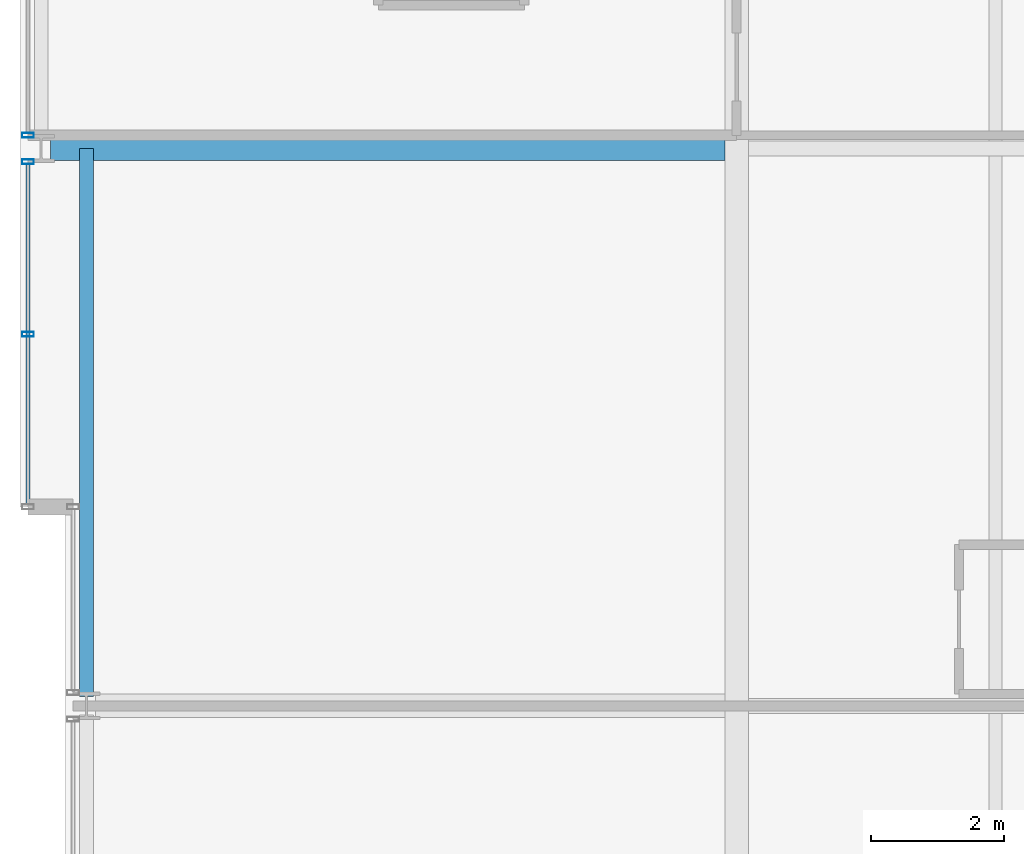
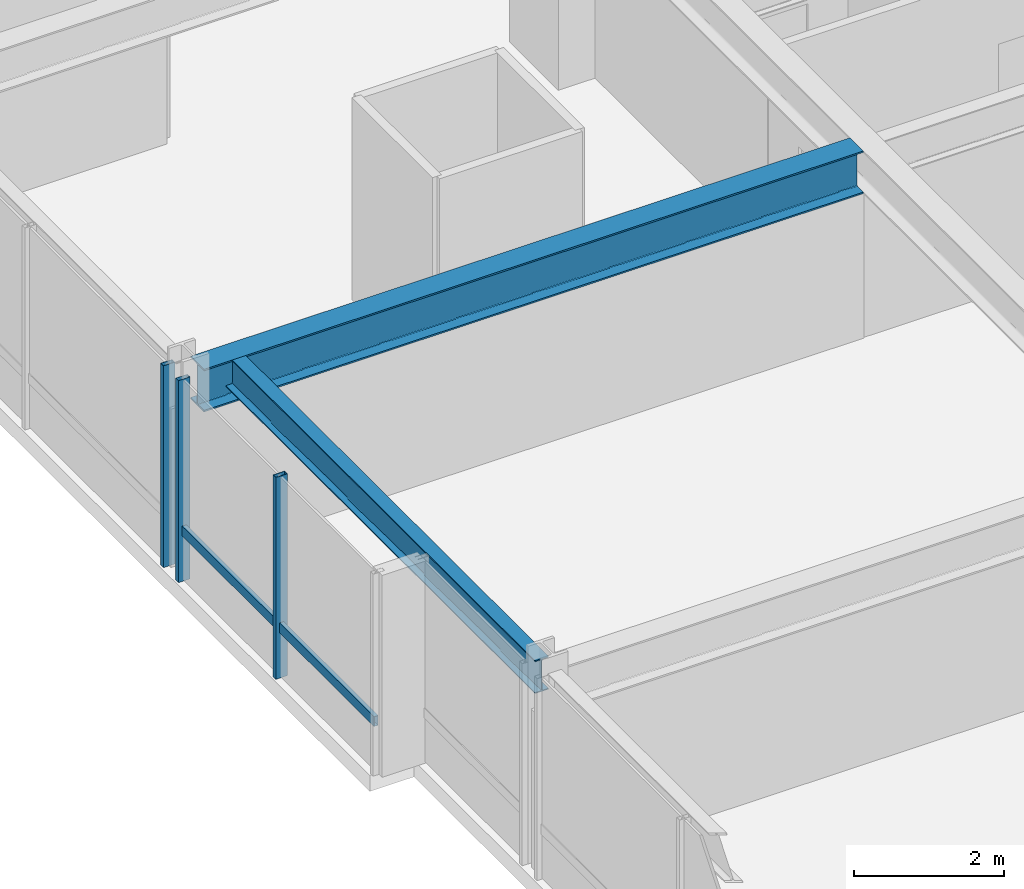
# One storey, part 16 of 32: 4 members, 2 beams, 2 elements without a shape of their own.
"""IFC4 building model written with IfcOpenShell, lengths in metres."""

from ifc_helpers import new_model, si_unit, direction, frame, origin, origin_2d, place, context, subcontext, project, spatial, hollow_rectangle, i_section, extrude, material, layer, layer_set, material_profile, profile_set, type_object, element, aggregate, save


model = new_model("IFC4")

# Units and contexts
model_context = context("Model", 3, precision=1e-05, world=origin(), true_north=direction((0.0, 1.0)))
body_context = subcontext(model_context, "Body", "Model", "MODEL_VIEW")
ifc_project = project(units=[si_unit("LENGTHUNIT", "METRE"), si_unit("AREAUNIT", "SQUARE_METRE"), si_unit("VOLUMEUNIT", "CUBIC_METRE"), si_unit("PLANEANGLEUNIT", "RADIAN"), si_unit("MASSUNIT", "GRAM", prefix="KILO")], contexts=[model_context])

# Site, building, storey
site_placement = place(None, origin())
site = spatial("IfcSite", under=ifc_project, at=site_placement, CompositionType="ELEMENT")
building_placement = place(site_placement, origin())
building = spatial("IfcBuilding", under=site, at=building_placement, Name="Drelvath Grand Hotel", CompositionType="ELEMENT")
storey_placement = place(building_placement, frame((0.0, 0.0, 150.39990234375)))
storey = spatial("IfcBuildingStorey", under=building, at=storey_placement, Name="L38", CompositionType="ELEMENT", Elevation=150.39990234375)

# Curtain wall, members
ifc_material_1 = material(Name="Brushed Pale-Silver Anodised Aluminium Frame", Category="aluminium")
ifc_layer = layer(ifc_material_1, 0.199951171875)
ifc_layer_set = layer_set([ifc_layer], Name="Brushed Pale-Silver Anodised Aluminium Frame")
curtain_wall_type = type_object("IfcCurtainWallType", Name="Stick Curtain Wall CW-04 Brushed Silver Upper-Mid", PredefinedType="NOTDEFINED", material=ifc_layer_set)
curtain_wall_1_placement = place(storey_placement, origin())
curtain_wall_1 = element("IfcCurtainWall", 1, at=curtain_wall_1_placement, inside=storey, type_object=curtain_wall_type, Name="L38 CW-04 Curtain Wall CW04-L38-WN1", PredefinedType="NOTDEFINED")
ifc_material_profile_1 = material_profile(ifc_material_1, hollow_rectangle(XDim=0.06494140625, YDim=0.159912109375, WallThickness=0.00390625, at=origin_2d()), Name="HSS160X65X4")
ifc_profile_set_1 = profile_set([ifc_material_profile_1], Name="Brushed Pale-Silver Anodised Aluminium Frame")
member_type_1 = type_object("IfcMemberType", Name="Curtain Wall Horizontal Transom CW-04 HSS160X65X4", PredefinedType="USERDEFINED", material=ifc_profile_set_1)
member_1_placement = place(storey_placement, frame((-26.8798828125, 30.0400390625, 0.822509765625), z_axis=(0.0, 1.0, 0.0), x_axis=(-1.0, 0.0, 0.0)))
member_1 = element("IfcMember", 2, at=member_1_placement, type_object=member_type_1, Name="CW04-L38-WN1 Sill Transom", ObjectType="TRANSOM", PredefinedType="USERDEFINED", context=body_context, shape_type="SweptSolid", body=[
    extrude(hollow_rectangle(XDim=0.06494140625, YDim=0.159912109375, WallThickness=0.00390625, at=origin_2d()), origin(), (0.0, 0.0, 1.0), 5.119873046875),
])
ifc_material_profile_2 = material_profile(ifc_material_1, hollow_rectangle(XDim=0.074951171875, YDim=0.179931640625, WallThickness=0.0048828125, at=origin_2d()), Name="HSS180X75X5")
ifc_profile_set_2 = profile_set([ifc_material_profile_2], Name="Brushed Pale-Silver Anodised Aluminium Frame")
member_type_2 = type_object("IfcMemberType", Name="Curtain Wall Vertical Mullion CW-04 HSS180X75X5", PredefinedType="MULLION", material=ifc_profile_set_2)
member_2_placement = place(storey_placement, frame((-26.8798828125, 32.60009765625, 0.0), z_axis=(0.0, 0.0, 1.0), x_axis=(0.0, 1.0, 0.0)))
member_2 = element("IfcMember", 3, at=member_2_placement, type_object=member_type_2, Name="CW04-L38-WN1 Mullion 2", PredefinedType="MULLION", context=body_context, shape_type="SweptSolid", body=[
    extrude(hollow_rectangle(XDim=0.074951171875, YDim=0.179931640625, WallThickness=0.0048828125, at=origin_2d()), origin(), (0.0, 0.0, 1.0), 3.2900390625),
])
member_3_placement = place(storey_placement, frame((-26.8798828125, 35.199951171875, 0.0), z_axis=(0.0, 0.0, 1.0), x_axis=(0.0, 1.0, 0.0)))
member_3 = element("IfcMember", 4, at=member_3_placement, type_object=member_type_2, Name="CW04-L38-WN1 Mullion 3", PredefinedType="MULLION", context=body_context, shape_type="SweptSolid", body=[
    extrude(hollow_rectangle(XDim=0.074951171875, YDim=0.179931640625, WallThickness=0.0048828125, at=origin_2d()), origin(), (0.0, 0.0, 1.0), 3.2900390625),
])
aggregate(curtain_wall_1, [member_2, member_3, member_1])

# Curtain wall, member
curtain_wall_2_placement = place(storey_placement, origin())
curtain_wall_2 = element("IfcCurtainWall", 5, at=curtain_wall_2_placement, inside=storey, type_object=curtain_wall_type, Name="L38 CW-04 Curtain Wall CW04-L38-WN2", PredefinedType="NOTDEFINED")
member_4_placement = place(storey_placement, frame((-26.8798828125, 35.60009765625, 0.0), z_axis=(0.0, 0.0, 1.0), x_axis=(0.0, 1.0, 0.0)))
member_4 = element("IfcMember", 6, at=member_4_placement, type_object=member_type_2, Name="CW04-L38-WN2 Mullion 1", PredefinedType="MULLION", context=body_context, shape_type="SweptSolid", body=[
    extrude(hollow_rectangle(XDim=0.074951171875, YDim=0.179931640625, WallThickness=0.0048828125, at=origin_2d()), origin(), (0.0, 0.0, 1.0), 3.2900390625),
])
aggregate(curtain_wall_2, [member_4])

# Beams
ifc_material_2 = material(Name="Steel ASTM A992 Gr 50", Category="steel")
ifc_material_profile_3 = material_profile(ifc_material_2, i_section(OverallWidth=0.210205078125, OverallDepth=0.53662109375, WebThickness=0.010986328125, FlangeThickness=0.017333984375, FilletRadius=0.01806640625, at=origin_2d()), Name="W21X68")
ifc_profile_set_3 = profile_set([ifc_material_profile_3], Name="Steel ASTM A992 Gr 50")
beam_type_1 = type_object("IfcBeamType", Name="Perimeter Spandrel Beam W21X68", PredefinedType="SPANDREL", material=ifc_profile_set_3)
beam_1_placement = place(storey_placement, frame((-26.0, 27.139892578125, 3.021728515625), z_axis=(0.0, 1.0, 0.0), x_axis=(-1.0, 0.0, 0.0)))
element("IfcBeam", 7, at=beam_1_placement, inside=storey, type_object=beam_type_1, Name="L38 Spandrel West Mid N", PredefinedType="SPANDREL", context=body_context, shape_type="SweptSolid", body=[
    extrude(i_section(OverallWidth=0.210205078125, OverallDepth=0.53662109375, WebThickness=0.010986328125, FlangeThickness=0.017333984375, FilletRadius=0.01806640625, at=origin_2d()), origin(), (0.0, 0.0, 1.0), 8.260009765625),
])
ifc_material_profile_4 = material_profile(ifc_material_2, i_section(OverallWidth=0.354736328125, OverallDepth=0.695556640625, WebThickness=0.015380859375, FlangeThickness=0.025146484375, FilletRadius=0.02392578125, at=origin_2d()), Name="W27X146")
ifc_profile_set_4 = profile_set([ifc_material_profile_4], Name="Steel ASTM A992 Gr 50")
beam_type_2 = type_object("IfcBeamType", Name="Primary Floor Girder W27X146", PredefinedType="BEAM", material=ifc_profile_set_4)
beam_2_placement = place(storey_placement, frame((-26.5400390625, 35.39990234375, 2.9423828125), z_axis=(1.0, 0.0, 0.0), x_axis=(0.0, 1.0, 0.0)))
element("IfcBeam", 8, at=beam_2_placement, inside=storey, type_object=beam_type_2, Name="L38 West Wing Girder F", PredefinedType="BEAM", context=body_context, shape_type="SweptSolid", body=[
    extrude(i_section(OverallWidth=0.354736328125, OverallDepth=0.695556640625, WebThickness=0.015380859375, FlangeThickness=0.025146484375, FilletRadius=0.02392578125, at=origin_2d()), origin(), (0.0, 0.0, 1.0), 10.16259765625),
])

save(model, "model.ifc")
